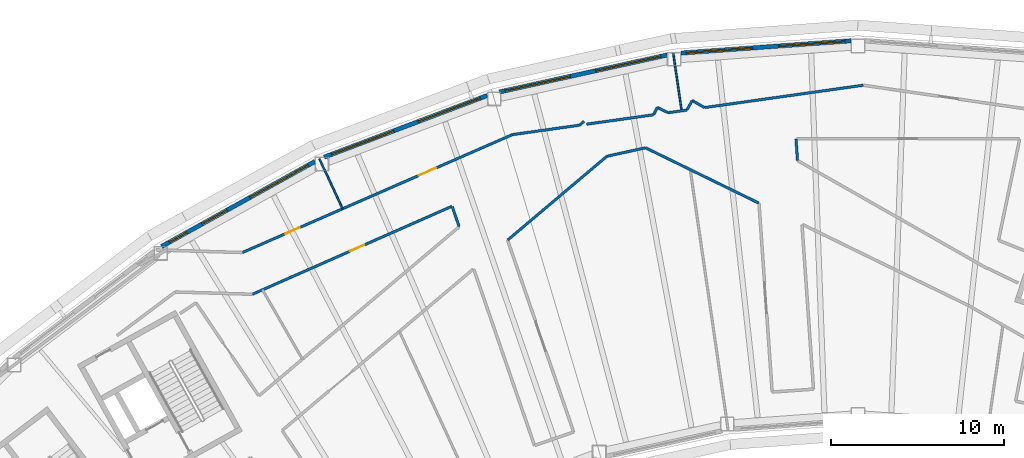
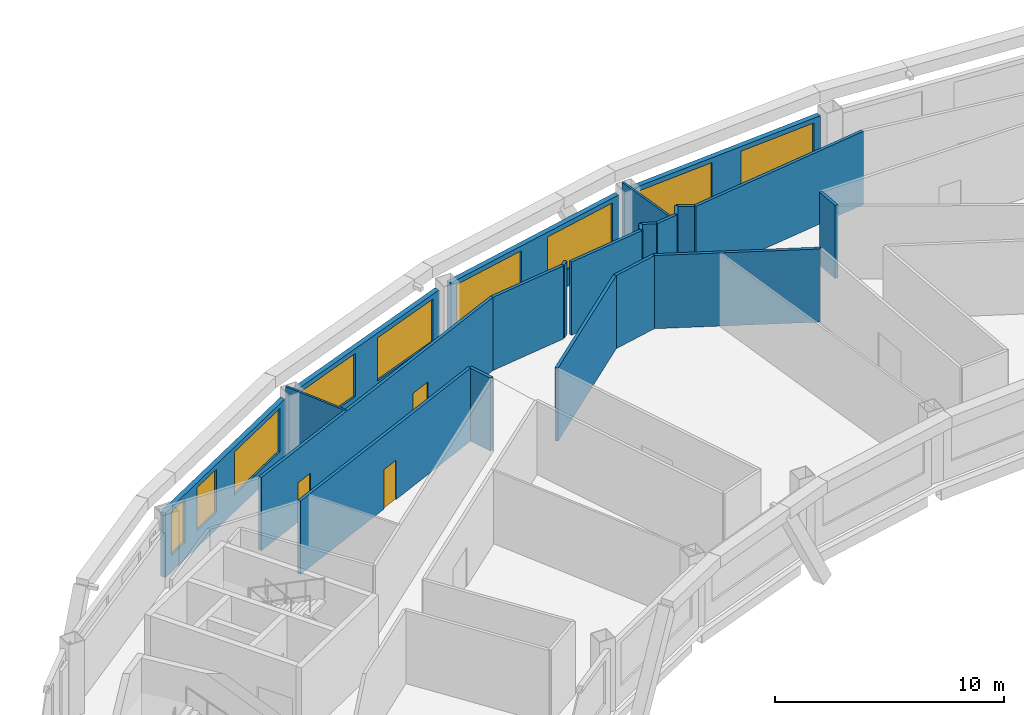
# One storey, part 7 of 16: 22 walls, 9 windows, 3 doors, 12 openings.
"""IFC4 building model written with IfcOpenShell, lengths in metres."""

from ifc_helpers import new_model, si_unit, direction, frame, frame_2d, origin, place, context, subcontext, project, spatial, rectangle, extrude, material, layer, layer_set, type_object, element, fill, save


model = new_model("IFC4")

# Units and contexts
model_context = context("Model", 3, precision=1e-05, world=origin(), true_north=direction((0.0, 1.0)))
body_context = subcontext(model_context, "Body", "Model", "MODEL_VIEW")
ifc_project = project(units=[si_unit("LENGTHUNIT", "METRE"), si_unit("AREAUNIT", "SQUARE_METRE"), si_unit("VOLUMEUNIT", "CUBIC_METRE"), si_unit("PLANEANGLEUNIT", "RADIAN"), si_unit("MASSUNIT", "GRAM", prefix="KILO")], contexts=[model_context])

# Site, building, storey
site_placement = place(None, origin())
site = spatial("IfcSite", under=ifc_project, at=site_placement, CompositionType="ELEMENT")
building_placement = place(site_placement, origin())
building = spatial("IfcBuilding", under=site, at=building_placement, Name="Tuul Gate Civic Tower", CompositionType="ELEMENT")
storey_placement = place(building_placement, frame((0.0, 0.0, 261.0)))
storey = spatial("IfcBuildingStorey", under=building, at=storey_placement, Name="Level 59", CompositionType="ELEMENT", Elevation=261.0)

# Walls
ifc_material_1 = material(Name="Gypsum board partition")
ifc_layer_1 = layer(ifc_material_1, 0.14990234375)
ifc_layer_set_1 = layer_set([ifc_layer_1], Name="Gypsum board partition")
wall_type_1 = type_object("IfcWallType", Name="Corridor wall P150", PredefinedType="PARTITIONING", material=ifc_layer_set_1)
wall_1_placement = place(storey_placement, frame((-8.997802734375, 8.331787109375, 0.0), z_axis=(0.0, 0.0, 1.0), x_axis=(0.990228560902, 0.139453924914, 0.0)))
element("IfcWall", 1, at=wall_1_placement, inside=storey, type_object=wall_type_1, Name="p017", PredefinedType="PARTITIONING", context=body_context, shape_type="SweptSolid", body=[
    extrude(rectangle(XDim=3.9267578125, YDim=0.14990234375, at=frame_2d((1.96337890625, 0.0))), origin(), (0.0, 0.0, 1.0), 3.89990234375),
])
wall_2_placement = place(storey_placement, frame((-4.6884765625, 8.938720703125, 0.0), z_axis=(0.0, 0.0, 1.0), x_axis=(0.990239491623, 0.139376286467, 0.0)))
element("IfcWall", 2, at=wall_2_placement, inside=storey, type_object=wall_type_1, Name="p018", PredefinedType="PARTITIONING", context=body_context, shape_type="SweptSolid", body=[
    extrude(rectangle(XDim=3.911376953125, YDim=0.14990234375, at=frame_2d((1.95556640625, 0.0))), origin(), (0.0, 0.0, 1.0), 3.89990234375),
])
wall_3_placement = place(storey_placement, frame((0.0322265625, 9.603515625, 0.0), z_axis=(0.0, 0.0, 1.0), x_axis=(0.990252706124, 0.139282367921, 0.0)))
element("IfcWall", 3, at=wall_3_placement, inside=storey, type_object=wall_type_1, Name="p019", PredefinedType="PARTITIONING", context=body_context, shape_type="SweptSolid", body=[
    extrude(rectangle(XDim=1.086669921875, YDim=0.14990234375, at=frame_2d((0.54345703125, 0.0))), origin(), (0.0, 0.0, 1.0), 3.89990234375),
])
wall_4_placement = place(storey_placement, frame((2.1494140625, 9.901611328125, 0.0), z_axis=(0.0, 0.0, 1.0), x_axis=(0.990230546803, 0.139439822781, 0.0)))
element("IfcWall", 4, at=wall_4_placement, inside=storey, type_object=wall_type_1, Name="p020", PredefinedType="PARTITIONING", context=body_context, shape_type="SweptSolid", body=[
    extrude(rectangle(XDim=9.28125, YDim=0.14990234375, at=frame_2d((4.640625, 0.0))), origin(), (0.0, 0.0, 1.0), 3.89990234375),
])
wall_5_placement = place(storey_placement, frame((1.431396484375, 10.305419921875, 0.0), z_axis=(0.0, 0.0, 1.0), x_axis=(0.869001058999, -0.494810225702, 0.0)))
element("IfcWall", 5, at=wall_5_placement, inside=storey, type_object=wall_type_1, Name="p021", PredefinedType="PARTITIONING", context=body_context, shape_type="SweptSolid", body=[
    extrude(rectangle(XDim=0.811767578125, YDim=0.14990234375, at=frame_2d((0.40576171875, 0.0))), origin(), (0.0, 0.0, 1.0), 3.89990234375),
])
wall_6_placement = place(storey_placement, frame((1.122802734375, 9.764892578125, 0.0), z_axis=(0.0, 0.0, 1.0), x_axis=(0.494912710039, 0.868942696294, 0.0)))
element("IfcWall", 6, at=wall_6_placement, inside=storey, type_object=wall_type_1, Name="p025", PredefinedType="PARTITIONING", context=body_context, shape_type="SweptSolid", body=[
    extrude(rectangle(XDim=0.6220703125, YDim=0.14990234375, at=frame_2d((0.31103515625, 0.0))), origin(), (0.0, 0.0, 1.0), 3.89990234375),
])
wall_7_placement = place(storey_placement, frame((-0.59716796875, 9.91064453125, 0.0), z_axis=(0.0, 0.0, 1.0), x_axis=(0.8990532577, -0.437839285376, 0.0)))
element("IfcWall", 7, at=wall_7_placement, inside=storey, type_object=wall_type_1, Name="p028", PredefinedType="PARTITIONING", context=body_context, shape_type="SweptSolid", body=[
    extrude(rectangle(XDim=0.69970703125, YDim=0.14990234375, at=frame_2d((0.349853515625, 0.0))), origin(), (0.0, 0.0, 1.0), 3.89990234375),
])
wall_8_placement = place(storey_placement, frame((-0.800048828125, 9.4951171875, 0.0), z_axis=(0.0, 0.0, 1.0), x_axis=(0.438746071107, 0.898611086671, 0.0)))
element("IfcWall", 8, at=wall_8_placement, inside=storey, type_object=wall_type_1, Name="p030", PredefinedType="PARTITIONING", context=body_context, shape_type="SweptSolid", body=[
    extrude(rectangle(XDim=0.46240234375, YDim=0.14990234375, at=frame_2d((0.231201171875, 0.0))), origin(), (0.0, 0.0, 1.0), 3.89990234375),
])
wall_9_placement = place(storey_placement, frame((-5.09912109375, 8.8837890625, 0.0), z_axis=(0.0, 0.0, 1.0), x_axis=(0.763549735417, 0.64574902365, 0.0)))
element("IfcWall", 9, at=wall_9_placement, inside=storey, type_object=wall_type_1, Name="p032", PredefinedType="PARTITIONING", context=body_context, shape_type="SweptSolid", body=[
    extrude(rectangle(XDim=0.33984375, YDim=0.14990234375, at=frame_2d((0.169921875, 0.0))), origin(), (0.0, 0.0, 1.0), 3.89990234375),
])

# Wall, openings, doors
wall_10_placement = place(storey_placement, frame((-24.63427734375, 1.503173828125, 0.0), z_axis=(0.0, 0.0, 1.0), x_axis=(0.916422804451, 0.400211498439, 0.0)))
wall_10 = element("IfcWall", 10, at=wall_10_placement, inside=storey, type_object=wall_type_1, Name="p033", PredefinedType="PARTITIONING", context=body_context, shape_type="SweptSolid", body=[
    extrude(rectangle(XDim=17.0625, YDim=0.14990234375, at=frame_2d((8.53125, 0.0))), origin(), (0.0, 0.0, 1.0), 3.89990234375),
])
opening_1_placement = place(wall_10_placement, frame((11.146728515625, 0.0, 0.0)))
opening_1 = element("IfcOpeningElement", 11, at=opening_1_placement, cuts=wall_10, Name="Opening V-D05", PredefinedType="OPENING", context=body_context, shape_type="SweptSolid", body=[
    extrude(rectangle(XDim=1.10009765625, YDim=2.10009765625, at=frame_2d((0.550048828125, 1.050048828125))), frame((0.0, 0.0849609375, 0.0), z_axis=(0.0, -1.0, 0.0), x_axis=(1.0, 0.0, 0.0)), (0.0, 0.0, 1.0), 0.169921875),
])
opening_2_placement = place(wall_10_placement, frame((2.715576171875, 0.0, 0.0)))
opening_2 = element("IfcOpeningElement", 12, at=opening_2_placement, cuts=wall_10, Name="Opening V-D06", PredefinedType="OPENING", context=body_context, shape_type="SweptSolid", body=[
    extrude(rectangle(XDim=0.89990234375, YDim=2.10009765625, at=frame_2d((0.449951171875, 1.050048828125))), frame((0.0, 0.0849609375, 0.0), z_axis=(0.0, -1.0, 0.0), x_axis=(1.0, 0.0, 0.0)), (0.0, 0.0, 1.0), 0.169921875),
])
ifc_material_2 = material(Name="Timber door leaf", Category="wood")
door_type_1 = type_object("IfcDoorType", Name="Door D09", OperationType="NOTDEFINED", PredefinedType="DOOR", material=ifc_material_2)
door_1_placement = place(opening_2_placement, origin())
door_1 = element("IfcDoor", 13, at=door_1_placement, inside=storey, type_object=door_type_1, Name="Door V-D06", OperationType="SINGLE_SWING_RIGHT", OverallHeight=2.10009765625, OverallWidth=0.89990234375, PredefinedType="DOOR", context=body_context, shape_type="SweptSolid", body=[
    extrude(rectangle(XDim=0.89990234375, YDim=2.10009765625, at=frame_2d((0.449951171875, 1.050048828125))), frame((0.0, 0.02490234375, 0.0), z_axis=(0.0, -1.0, 0.0), x_axis=(1.0, 0.0, 0.0)), (0.0, 0.0, 1.0), 0.050048828125),
])
fill(opening_2, door_1)
ifc_material_3 = material(Name="Timber door leaf", Category="wood")
door_type_2 = type_object("IfcDoorType", Name="Door D11", OperationType="NOTDEFINED", PredefinedType="DOOR", material=ifc_material_3)
door_2_placement = place(opening_1_placement, origin())
door_2 = element("IfcDoor", 14, at=door_2_placement, inside=storey, type_object=door_type_2, Name="Door V-D05", OperationType="SINGLE_SWING_RIGHT", OverallHeight=2.10009765625, OverallWidth=1.10009765625, PredefinedType="DOOR", context=body_context, shape_type="SweptSolid", body=[
    extrude(rectangle(XDim=1.10009765625, YDim=2.10009765625, at=frame_2d((0.550048828125, 1.050048828125))), frame((0.0, 0.02490234375, 0.0), z_axis=(0.0, -1.0, 0.0), x_axis=(1.0, 0.0, 0.0)), (0.0, 0.0, 1.0), 0.050048828125),
])
fill(opening_1, door_2)

# Walls
wall_11_placement = place(storey_placement, frame((-1.2685546875, 7.5673828125, 0.0), z_axis=(0.0, 0.0, 1.0), x_axis=(0.898570891444, -0.438828386787, 0.0)))
element("IfcWall", 15, at=wall_11_placement, inside=storey, type_object=wall_type_1, Name="p063", PredefinedType="PARTITIONING", context=body_context, shape_type="SweptSolid", body=[
    extrude(rectangle(XDim=7.2958984375, YDim=0.14990234375, at=frame_2d((3.64794921875, 0.0))), origin(), (0.0, 0.0, 1.0), 3.89990234375),
])
wall_12_placement = place(storey_placement, frame((7.444091796875, 8.071044921875, 0.0), z_axis=(0.0, 0.0, 1.0), x_axis=(0.069864679707, -0.997556477864, 0.0)))
element("IfcWall", 16, at=wall_12_placement, inside=storey, type_object=wall_type_1, Name="p067", PredefinedType="PARTITIONING", context=body_context, shape_type="SweptSolid", body=[
    extrude(rectangle(XDim=1.22998046875, YDim=0.14990234375, at=frame_2d((0.614990234375, 0.0))), origin(), (0.0, 0.0, 1.0), 3.89990234375),
])
wall_13_placement = place(storey_placement, frame((-9.259765625, 2.229248046875, 0.0), z_axis=(0.0, 0.0, 1.0), x_axis=(0.764029559752, 0.645181239518, 0.0)))
element("IfcWall", 17, at=wall_13_placement, inside=storey, type_object=wall_type_1, Name="p071", PredefinedType="PARTITIONING", context=body_context, shape_type="SweptSolid", body=[
    extrude(rectangle(XDim=7.51025390625, YDim=0.14990234375, at=frame_2d((3.755126953125, 0.0))), origin(), (0.0, 0.0, 1.0), 3.89990234375),
])
wall_14_placement = place(storey_placement, frame((-12.478271484375, 4.16552734375, 0.0), z_axis=(0.0, 0.0, 1.0), x_axis=(0.325653057846, -0.945489336754, 0.0)))
element("IfcWall", 18, at=wall_14_placement, inside=storey, type_object=wall_type_1, Name="p072", PredefinedType="PARTITIONING", context=body_context, shape_type="SweptSolid", body=[
    extrude(rectangle(XDim=1.225830078125, YDim=0.14990234375, at=frame_2d((0.61279296875, 0.0))), origin(), (0.0, 0.0, 1.0), 3.89990234375),
])
wall_15_placement = place(storey_placement, frame((-3.51318359375, 7.0791015625, 0.0), z_axis=(0.0, 0.0, 1.0), x_axis=(0.976734518066, 0.214452048765, 0.0)))
element("IfcWall", 19, at=wall_15_placement, inside=storey, type_object=wall_type_1, Name="p076", PredefinedType="PARTITIONING", context=body_context, shape_type="SweptSolid", body=[
    extrude(rectangle(XDim=2.284912109375, YDim=0.14990234375, at=frame_2d((1.142578125, 0.0))), origin(), (0.0, 0.0, 1.0), 3.89990234375),
])

# Wall, opening, door
wall_16_placement = place(storey_placement, frame((-24.055419921875, -0.9169921875, 0.0), z_axis=(0.0, 0.0, 1.0), x_axis=(0.914957919582, 0.403549260183, 0.0)))
wall_16 = element("IfcWall", 20, at=wall_16_placement, inside=storey, type_object=wall_type_1, Name="p099", PredefinedType="PARTITIONING", context=body_context, shape_type="SweptSolid", body=[
    extrude(rectangle(XDim=12.62353515625, YDim=0.14990234375, at=frame_2d((6.311767578125, 0.0))), origin(), (0.0, 0.0, 1.0), 3.89990234375),
])
opening_3_placement = place(wall_16_placement, frame((6.1796875, 0.0, 0.0)))
opening_3 = element("IfcOpeningElement", 21, at=opening_3_placement, cuts=wall_16, Name="Opening V-D22", PredefinedType="OPENING", context=body_context, shape_type="SweptSolid", body=[
    extrude(rectangle(XDim=0.89990234375, YDim=2.10009765625, at=frame_2d((0.449951171875, 1.050048828125))), frame((0.0, 0.0849609375, 0.0), z_axis=(0.0, -1.0, 0.0), x_axis=(1.0, 0.0, 0.0)), (0.0, 0.0, 1.0), 0.169921875),
])
door_3_placement = place(opening_3_placement, origin())
door_3 = element("IfcDoor", 22, at=door_3_placement, inside=storey, type_object=door_type_1, Name="Door V-D22", OperationType="SINGLE_SWING_RIGHT", OverallHeight=2.10009765625, OverallWidth=0.89990234375, PredefinedType="DOOR", context=body_context, shape_type="SweptSolid", body=[
    extrude(rectangle(XDim=0.89990234375, YDim=2.10009765625, at=frame_2d((0.449951171875, 1.050048828125))), frame((0.0, 0.02490234375, 0.0), z_axis=(0.0, -1.0, 0.0), x_axis=(1.0, 0.0, 0.0)), (0.0, 0.0, 1.0), 0.050048828125),
])
fill(opening_3, door_3)

# Wall, openings, windows
ifc_material_4 = material(Name="Precast concrete C40/50", Category="concrete")
ifc_layer_2 = layer(ifc_material_4, 0.25)
ifc_layer_set_2 = layer_set([ifc_layer_2], Name="Precast concrete C40/50")
wall_type_2 = type_object("IfcWallType", Name="External wall", PredefinedType="STANDARD", material=ifc_layer_set_2)
wall_17_placement = place(storey_placement, frame((10.631103515625, 13.770751953125, 0.0), z_axis=(0.0, 0.0, 1.0), x_axis=(-0.997387687721, -0.072234343517, 0.0)))
wall_17 = element("IfcWall", 23, at=wall_17_placement, inside=storey, type_object=wall_type_2, Name="External wall", PredefinedType="STANDARD", context=body_context, shape_type="SweptSolid", body=[
    extrude(rectangle(XDim=9.8759765625, YDim=0.25, at=frame_2d((4.93798828125, 0.0))), origin(), (0.0, 0.0, 1.0), 3.449951171875),
])
opening_4_placement = place(wall_17_placement, frame((0.3505859375, 0.0, 0.89990234375)))
opening_4 = element("IfcOpeningElement", 24, at=opening_4_placement, cuts=wall_17, Name="Opening W22", PredefinedType="OPENING", context=body_context, shape_type="SweptSolid", body=[
    extrude(rectangle(XDim=3.85009765625, YDim=2.300048828125, at=frame_2d((1.925048828125, 1.14990234375))), frame((0.0, 0.135009765625, 0.0), z_axis=(0.0, -1.0, 0.0), x_axis=(1.0, 0.0, 0.0)), (0.0, 0.0, 1.0), 0.27001953125),
])
opening_5_placement = place(wall_17_placement, frame((5.72216796875, 0.0, 0.89990234375)))
opening_5 = element("IfcOpeningElement", 25, at=opening_5_placement, cuts=wall_17, Name="Opening W22", PredefinedType="OPENING", context=body_context, shape_type="SweptSolid", body=[
    extrude(rectangle(XDim=3.85009765625, YDim=2.300048828125, at=frame_2d((1.925048828125, 1.14990234375))), frame((0.0, 0.135009765625, 0.0), z_axis=(0.0, -1.0, 0.0), x_axis=(1.0, 0.0, 0.0)), (0.0, 0.0, 1.0), 0.27001953125),
])
ifc_material_5 = material(Name="Glass", Category="glass")
window_type_1 = type_object("IfcWindowType", Name="Window W22 3850 x 2300", PartitioningType="SINGLE_PANEL", PredefinedType="WINDOW", material=ifc_material_5)
window_1_placement = place(opening_4_placement, origin())
window_1 = element("IfcWindow", 26, at=window_1_placement, inside=storey, type_object=window_type_1, Name="Window", OverallHeight=2.300048828125, OverallWidth=3.85009765625, PartitioningType="SINGLE_PANEL", PredefinedType="WINDOW", context=body_context, shape_type="SweptSolid", body=[
    extrude(rectangle(XDim=3.85009765625, YDim=2.300048828125, at=frame_2d((1.925048828125, 1.14990234375))), frame((0.0, 0.030029296875, 0.0), z_axis=(0.0, -1.0, 0.0), x_axis=(1.0, 0.0, 0.0)), (0.0, 0.0, 1.0), 0.06005859375),
])
fill(opening_4, window_1)
window_2_placement = place(opening_5_placement, origin())
window_2 = element("IfcWindow", 27, at=window_2_placement, inside=storey, type_object=window_type_1, Name="Window", OverallHeight=2.300048828125, OverallWidth=3.85009765625, PartitioningType="SINGLE_PANEL", PredefinedType="WINDOW", context=body_context, shape_type="SweptSolid", body=[
    extrude(rectangle(XDim=3.85009765625, YDim=2.300048828125, at=frame_2d((1.925048828125, 1.14990234375))), frame((0.0, 0.030029296875, 0.0), z_axis=(0.0, -1.0, 0.0), x_axis=(1.0, 0.0, 0.0)), (0.0, 0.0, 1.0), 0.06005859375),
])
fill(opening_5, window_2)

wall_18_placement = place(storey_placement, frame((-0.01904296875, 12.947265625, 0.0), z_axis=(0.0, 0.0, 1.0), x_axis=(-0.976559045146, -0.215249695339, 0.0)))
wall_18 = element("IfcWall", 28, at=wall_18_placement, inside=storey, type_object=wall_type_2, Name="External wall", PredefinedType="STANDARD", context=body_context, shape_type="SweptSolid", body=[
    extrude(rectangle(XDim=9.952880859375, YDim=0.25, at=frame_2d((4.9765625, 0.0))), origin(), (0.0, 0.0, 1.0), 3.449951171875),
])
opening_6_placement = place(wall_18_placement, frame((0.389892578125, 0.0, 0.89990234375)))
opening_6 = element("IfcOpeningElement", 29, at=opening_6_placement, cuts=wall_18, Name="Opening W22", PredefinedType="OPENING", context=body_context, shape_type="SweptSolid", body=[
    extrude(rectangle(XDim=3.85009765625, YDim=2.300048828125, at=frame_2d((1.925048828125, 1.14990234375))), frame((0.0, 0.135009765625, 0.0), z_axis=(0.0, -1.0, 0.0), x_axis=(1.0, 0.0, 0.0)), (0.0, 0.0, 1.0), 0.27001953125),
])
opening_7_placement = place(wall_18_placement, frame((5.7607421875, 0.0, 0.89990234375)))
opening_7 = element("IfcOpeningElement", 30, at=opening_7_placement, cuts=wall_18, Name="Opening W22", PredefinedType="OPENING", context=body_context, shape_type="SweptSolid", body=[
    extrude(rectangle(XDim=3.85009765625, YDim=2.300048828125, at=frame_2d((1.925048828125, 1.14990234375))), frame((0.0, 0.135009765625, 0.0), z_axis=(0.0, -1.0, 0.0), x_axis=(1.0, 0.0, 0.0)), (0.0, 0.0, 1.0), 0.27001953125),
])
window_3_placement = place(opening_6_placement, origin())
window_3 = element("IfcWindow", 31, at=window_3_placement, inside=storey, type_object=window_type_1, Name="Window", OverallHeight=2.300048828125, OverallWidth=3.85009765625, PartitioningType="SINGLE_PANEL", PredefinedType="WINDOW", context=body_context, shape_type="SweptSolid", body=[
    extrude(rectangle(XDim=3.85009765625, YDim=2.300048828125, at=frame_2d((1.925048828125, 1.14990234375))), frame((0.0, 0.030029296875, 0.0), z_axis=(0.0, -1.0, 0.0), x_axis=(1.0, 0.0, 0.0)), (0.0, 0.0, 1.0), 0.06005859375),
])
fill(opening_6, window_3)
window_4_placement = place(opening_7_placement, origin())
window_4 = element("IfcWindow", 32, at=window_4_placement, inside=storey, type_object=window_type_1, Name="Window", OverallHeight=2.300048828125, OverallWidth=3.85009765625, PartitioningType="SINGLE_PANEL", PredefinedType="WINDOW", context=body_context, shape_type="SweptSolid", body=[
    extrude(rectangle(XDim=3.85009765625, YDim=2.300048828125, at=frame_2d((1.925048828125, 1.14990234375))), frame((0.0, 0.030029296875, 0.0), z_axis=(0.0, -1.0, 0.0), x_axis=(1.0, 0.0, 0.0)), (0.0, 0.0, 1.0), 0.06005859375),
])
fill(opening_7, window_4)

wall_19_placement = place(storey_placement, frame((-10.446044921875, 10.6005859375, 0.0), z_axis=(0.0, 0.0, 1.0), x_axis=(-0.935343984789, -0.353739494712, 0.0)))
wall_19 = element("IfcWall", 33, at=wall_19_placement, inside=storey, type_object=wall_type_2, Name="External wall", PredefinedType="STANDARD", context=body_context, shape_type="SweptSolid", body=[
    extrude(rectangle(XDim=10.099365234375, YDim=0.25, at=frame_2d((5.0498046875, 0.0))), origin(), (0.0, 0.0, 1.0), 3.449951171875),
])
opening_8_placement = place(wall_19_placement, frame((0.422607421875, 0.0, 0.89990234375)))
opening_8 = element("IfcOpeningElement", 34, at=opening_8_placement, cuts=wall_19, Name="Opening W22", PredefinedType="OPENING", context=body_context, shape_type="SweptSolid", body=[
    extrude(rectangle(XDim=3.85009765625, YDim=2.300048828125, at=frame_2d((1.925048828125, 1.14990234375))), frame((0.0, 0.135009765625, 0.0), z_axis=(0.0, -1.0, 0.0), x_axis=(1.0, 0.0, 0.0)), (0.0, 0.0, 1.0), 0.27001953125),
])
opening_9_placement = place(wall_19_placement, frame((5.7939453125, 0.0, 0.89990234375)))
opening_9 = element("IfcOpeningElement", 35, at=opening_9_placement, cuts=wall_19, Name="Opening W22", PredefinedType="OPENING", context=body_context, shape_type="SweptSolid", body=[
    extrude(rectangle(XDim=3.85009765625, YDim=2.300048828125, at=frame_2d((1.925048828125, 1.14990234375))), frame((0.0, 0.135009765625, 0.0), z_axis=(0.0, -1.0, 0.0), x_axis=(1.0, 0.0, 0.0)), (0.0, 0.0, 1.0), 0.27001953125),
])
window_5_placement = place(opening_8_placement, origin())
window_5 = element("IfcWindow", 36, at=window_5_placement, inside=storey, type_object=window_type_1, Name="Window", OverallHeight=2.300048828125, OverallWidth=3.85009765625, PartitioningType="SINGLE_PANEL", PredefinedType="WINDOW", context=body_context, shape_type="SweptSolid", body=[
    extrude(rectangle(XDim=3.85009765625, YDim=2.300048828125, at=frame_2d((1.925048828125, 1.14990234375))), frame((0.0, 0.030029296875, 0.0), z_axis=(0.0, -1.0, 0.0), x_axis=(1.0, 0.0, 0.0)), (0.0, 0.0, 1.0), 0.06005859375),
])
fill(opening_8, window_5)
window_6_placement = place(opening_9_placement, origin())
window_6 = element("IfcWindow", 37, at=window_6_placement, inside=storey, type_object=window_type_1, Name="Window", OverallHeight=2.300048828125, OverallWidth=3.85009765625, PartitioningType="SINGLE_PANEL", PredefinedType="WINDOW", context=body_context, shape_type="SweptSolid", body=[
    extrude(rectangle(XDim=3.85009765625, YDim=2.300048828125, at=frame_2d((1.925048828125, 1.14990234375))), frame((0.0, 0.030029296875, 0.0), z_axis=(0.0, -1.0, 0.0), x_axis=(1.0, 0.0, 0.0)), (0.0, 0.0, 1.0), 0.06005859375),
])
fill(opening_9, window_6)

wall_20_placement = place(storey_placement, frame((-20.43310546875, 6.777099609375, 0.0), z_axis=(0.0, 0.0, 1.0), x_axis=(-0.87463069098, -0.484789804345, 0.0)))
wall_20 = element("IfcWall", 38, at=wall_20_placement, inside=storey, type_object=wall_type_2, Name="External wall", PredefinedType="STANDARD", context=body_context, shape_type="SweptSolid", body=[
    extrude(rectangle(XDim=10.1591796875, YDim=0.25, at=frame_2d((5.07958984375, 0.0))), origin(), (0.0, 0.0, 1.0), 3.449951171875),
])
opening_10_placement = place(wall_20_placement, frame((0.4501953125, 0.0, 0.89990234375)))
opening_10 = element("IfcOpeningElement", 39, at=opening_10_placement, cuts=wall_20, Name="Opening W22", PredefinedType="OPENING", context=body_context, shape_type="SweptSolid", body=[
    extrude(rectangle(XDim=3.85009765625, YDim=2.300048828125, at=frame_2d((1.925048828125, 1.14990234375))), frame((0.0, 0.135009765625, 0.0), z_axis=(0.0, -1.0, 0.0), x_axis=(1.0, 0.0, 0.0)), (0.0, 0.0, 1.0), 0.27001953125),
])
opening_11_placement = place(wall_20_placement, frame((5.82373046875, 0.0, 0.89990234375)))
opening_11 = element("IfcOpeningElement", 40, at=opening_11_placement, cuts=wall_20, Name="Opening W55", PredefinedType="OPENING", context=body_context, shape_type="SweptSolid", body=[
    extrude(rectangle(XDim=1.64990234375, YDim=2.300048828125, at=frame_2d((0.824951171875, 1.14990234375))), frame((0.0, 0.135009765625, 0.0), z_axis=(0.0, -1.0, 0.0), x_axis=(1.0, 0.0, 0.0)), (0.0, 0.0, 1.0), 0.27001953125),
])
opening_12_placement = place(wall_20_placement, frame((8.49609375, 0.0, 0.89990234375)))
opening_12 = element("IfcOpeningElement", 41, at=opening_12_placement, cuts=wall_20, Name="Opening W43", PredefinedType="OPENING", context=body_context, shape_type="SweptSolid", body=[
    extrude(rectangle(XDim=1.14990234375, YDim=2.300048828125, at=frame_2d((0.574951171875, 1.14990234375))), frame((0.0, 0.135009765625, 0.0), z_axis=(0.0, -1.0, 0.0), x_axis=(1.0, 0.0, 0.0)), (0.0, 0.0, 1.0), 0.27001953125),
])
ifc_material_6 = material(Name="Glass", Category="glass")
window_type_2 = type_object("IfcWindowType", Name="Window 1150 x 2300", PartitioningType="SINGLE_PANEL", PredefinedType="WINDOW", material=ifc_material_6)
window_7_placement = place(opening_12_placement, origin())
window_7 = element("IfcWindow", 42, at=window_7_placement, inside=storey, type_object=window_type_2, Name="Window", OverallHeight=2.300048828125, OverallWidth=1.14990234375, PartitioningType="SINGLE_PANEL", PredefinedType="WINDOW", context=body_context, shape_type="SweptSolid", body=[
    extrude(rectangle(XDim=1.14990234375, YDim=2.300048828125, at=frame_2d((0.574951171875, 1.14990234375))), frame((0.0, 0.030029296875, 0.0), z_axis=(0.0, -1.0, 0.0), x_axis=(1.0, 0.0, 0.0)), (0.0, 0.0, 1.0), 0.06005859375),
])
fill(opening_12, window_7)
ifc_material_7 = material(Name="Glass", Category="glass")
window_type_3 = type_object("IfcWindowType", Name="Window 1650 x 2300", PartitioningType="SINGLE_PANEL", PredefinedType="WINDOW", material=ifc_material_7)
window_8_placement = place(opening_11_placement, origin())
window_8 = element("IfcWindow", 43, at=window_8_placement, inside=storey, type_object=window_type_3, Name="Window", OverallHeight=2.300048828125, OverallWidth=1.64990234375, PartitioningType="SINGLE_PANEL", PredefinedType="WINDOW", context=body_context, shape_type="SweptSolid", body=[
    extrude(rectangle(XDim=1.64990234375, YDim=2.300048828125, at=frame_2d((0.824951171875, 1.14990234375))), frame((0.0, 0.030029296875, 0.0), z_axis=(0.0, -1.0, 0.0), x_axis=(1.0, 0.0, 0.0)), (0.0, 0.0, 1.0), 0.06005859375),
])
fill(opening_11, window_8)
window_9_placement = place(opening_10_placement, origin())
window_9 = element("IfcWindow", 44, at=window_9_placement, inside=storey, type_object=window_type_1, Name="Window", OverallHeight=2.300048828125, OverallWidth=3.85009765625, PartitioningType="SINGLE_PANEL", PredefinedType="WINDOW", context=body_context, shape_type="SweptSolid", body=[
    extrude(rectangle(XDim=3.85009765625, YDim=2.300048828125, at=frame_2d((1.925048828125, 1.14990234375))), frame((0.0, 0.030029296875, 0.0), z_axis=(0.0, -1.0, 0.0), x_axis=(1.0, 0.0, 0.0)), (0.0, 0.0, 1.0), 0.06005859375),
])
fill(opening_10, window_9)

# Walls
ifc_material_8 = material(Name="Gypsum board partition")
ifc_layer_3 = layer(ifc_material_8, 0.10009765625)
ifc_layer_set_3 = layer_set([ifc_layer_3], Name="Gypsum board partition")
wall_type_3 = type_object("IfcWallType", Name="Partition P100", PredefinedType="PARTITIONING", material=ifc_layer_set_3)
wall_21_placement = place(storey_placement, frame((0.333740234375, 13.030029296875, 0.0), z_axis=(0.0, 0.0, 1.0), x_axis=(0.14410328547, -0.989562652446, 0.0)))
element("IfcWall", 45, at=wall_21_placement, inside=storey, type_object=wall_type_3, Name="p015", PredefinedType="PARTITIONING", context=body_context, shape_type="SweptSolid", body=[
    extrude(rectangle(XDim=3.35107421875, YDim=0.10009765625, at=frame_2d((1.675537109375, 0.0))), origin(), (0.0, 0.0, 1.0), 3.89990234375),
])
wall_22_placement = place(storey_placement, frame((-20.17138671875, 6.927734375, 0.0), z_axis=(0.0, 0.0, 1.0), x_axis=(0.420253283084, -0.907406842633, 0.0)))
element("IfcWall", 46, at=wall_22_placement, inside=storey, type_object=wall_type_3, Name="p026", PredefinedType="PARTITIONING", context=body_context, shape_type="SweptSolid", body=[
    extrude(rectangle(XDim=3.185791015625, YDim=0.10009765625, at=frame_2d((1.5927734375, 0.0))), origin(), (0.0, 0.0, 1.0), 3.89990234375),
])

save(model, "model.ifc")
